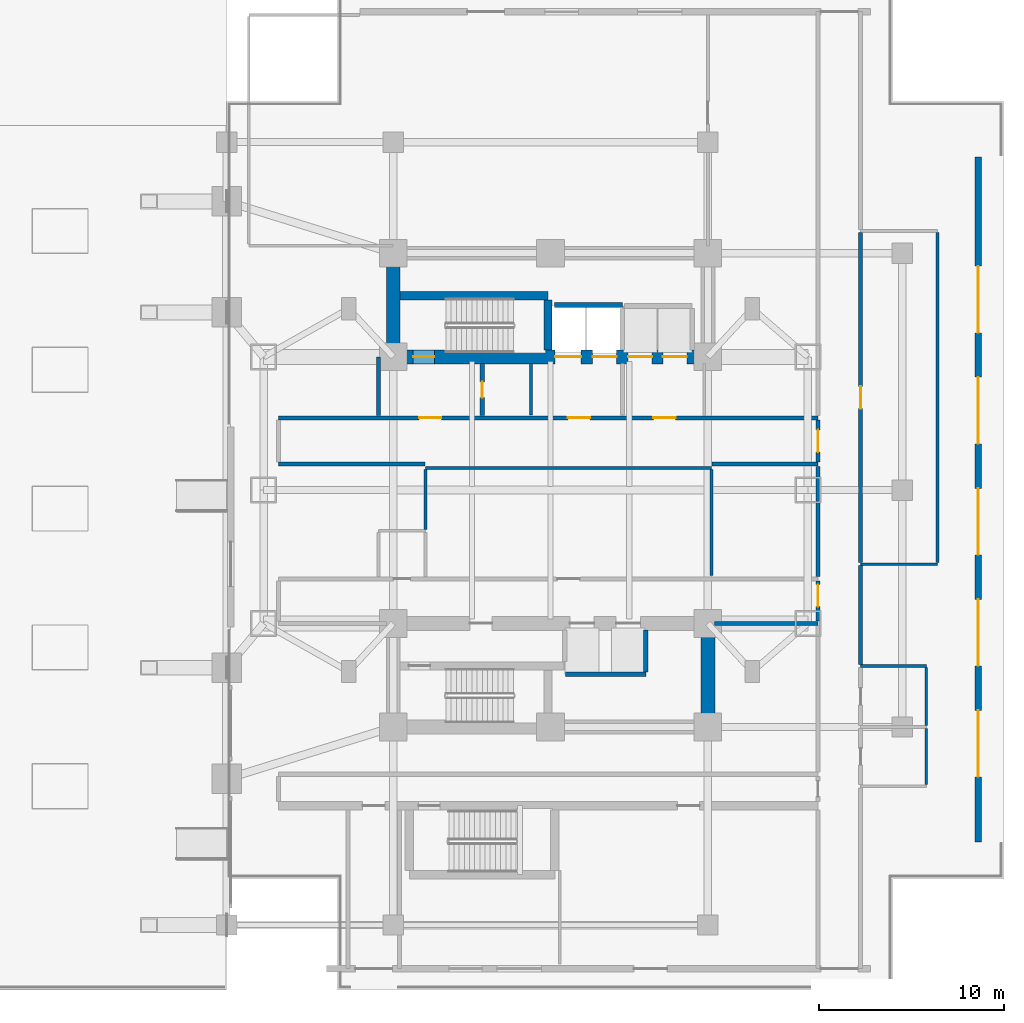
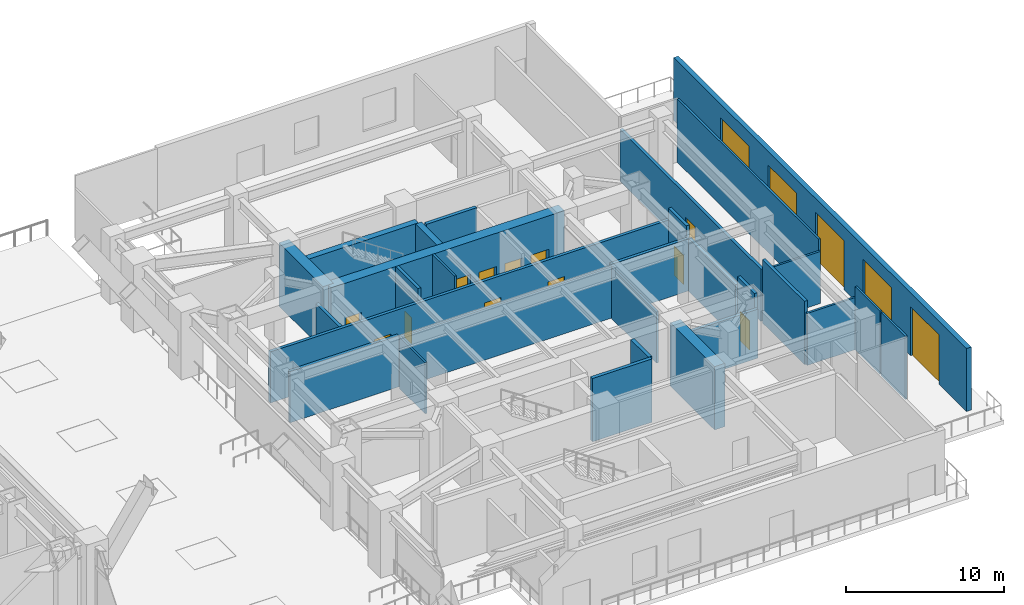
# One storey, part 14 of 27: 29 walls, 17 doors, 17 openings.
"""IFC4 building model written with IfcOpenShell, lengths in metres."""

import ifcopenshell
import ifcopenshell.guid

model = None  # the IFC model being written
_history = None  # IfcOwnerHistory: only IFC2X3 demands one
_inside = {}  # id of a spatial element -> (the spatial element, [elements in it])
_under = {}  # id of a project, library or spatial element -> (it, [spatial elements below it])
_declared = {}  # id of a project -> (the project, [libraries it declares])
_typed = {}  # id of a type object -> (the type object, [elements of that type])
_made_of = {}  # id of a material, layer set ... -> (it, [elements and type objects made of it])


def new_model(schema):
    """Start an empty IFC model of exactly this schema.

    Asked for "IFC4X3", IfcOpenShell would pick the latest addendum, in which some entities
    have other attributes; the version numbers below select the first issue.
    IFC2X3 requires an IfcOwnerHistory on every rooted entity: one is made here for all.
    """
    global model, _history
    if schema == "IFC4X3":
        model = ifcopenshell.file(schema_version=(4, 3, 0, 0))
    else:
        model = ifcopenshell.file(schema=schema)
    _inside.clear()
    _under.clear()
    _declared.clear()
    _typed.clear()
    _made_of.clear()
    _history = None
    if model.schema == "IFC2X3":
        org = make("IfcOrganization", Name="unknown")
        user = make(
            "IfcPersonAndOrganization",
            ThePerson=make("IfcPerson", FamilyName="unknown"),
            TheOrganization=org,
        )
        app = make(
            "IfcApplication",
            ApplicationDeveloper=org,
            Version="unknown",
            ApplicationFullName="unknown",
            ApplicationIdentifier="unknown",
        )
        _history = make(
            "IfcOwnerHistory",
            OwningUser=user,
            OwningApplication=app,
            ChangeAction="ADDED",
            CreationDate=0,
        )
    return model


def make(cls, **values):
    """One entity of the class cls with the attributes given. An attribute that is None is left unset."""
    return model.create_entity(
        cls, **{name: value for name, value in values.items() if value is not None}
    )


def rooted(cls, **values):
    """An entity with a GlobalId (a new one), such as an element, a storey or a relation."""
    return make(cls, GlobalId=ifcopenshell.guid.new(), OwnerHistory=_history, **values)


def si_unit(unit_type, name, prefix=None):
    """IfcSIUnit, for example si_unit("LENGTHUNIT", "METRE", prefix="MILLI")."""
    return make("IfcSIUnit", UnitType=unit_type, Prefix=prefix, Name=name)


def assignment(units):
    """IfcUnitAssignment: the units of a project."""
    return None if units is None else make("IfcUnitAssignment", Units=units)


def point(xyz):
    """IfcCartesianPoint."""
    return None if xyz is None else make("IfcCartesianPoint", Coordinates=xyz)


def direction(xyz):
    """IfcDirection."""
    return None if xyz is None else make("IfcDirection", DirectionRatios=xyz)


def frame(location, z_axis=None, x_axis=None):
    """IfcAxis2Placement3D, a coordinate frame: its origin and axes. An axis left out is left unset."""
    return make(
        "IfcAxis2Placement3D",
        Location=point(location),
        Axis=direction(z_axis),
        RefDirection=direction(x_axis),
    )


def frame_2d(location, x_axis=None):
    """IfcAxis2Placement2D, a coordinate frame in the plane: its origin and x axis."""
    return make(
        "IfcAxis2Placement2D", Location=point(location), RefDirection=direction(x_axis)
    )


def origin():
    """The frame at (0, 0, 0) with its axes left unset."""
    return frame((0.0, 0.0, 0.0))


def place(relative_to, where):
    """IfcLocalPlacement: puts the frame where relative to a parent placement (None: the world)."""
    return make(
        "IfcLocalPlacement", PlacementRelTo=relative_to, RelativePlacement=where
    )


def context(
    kind, dimensions, precision=None, world=None, true_north=None, identifier=None
):
    """IfcGeometricRepresentationContext, for example the 3D "Model" context."""
    return make(
        "IfcGeometricRepresentationContext",
        ContextIdentifier=identifier,
        ContextType=kind,
        CoordinateSpaceDimension=dimensions,
        Precision=precision,
        WorldCoordinateSystem=world,
        TrueNorth=true_north,
    )


def subcontext(parent, identifier, kind, view, scale=None):
    """IfcGeometricRepresentationSubContext, for example "Body" below "Model"."""
    return make(
        "IfcGeometricRepresentationSubContext",
        ContextIdentifier=identifier,
        ContextType=kind,
        ParentContext=parent,
        TargetScale=scale,
        TargetView=view,
    )


def project(units=None, contexts=None):
    """IfcProject with its units and contexts."""
    return rooted(
        "IfcProject",
        Name="project",
        RepresentationContexts=contexts,
        UnitsInContext=assignment(units),
    )


def spatial(cls, under=None, at=None, **own):
    """A site, building, storey or space (cls), placed at a placement, below another one or the project."""
    s = rooted(cls, ObjectPlacement=at, **own)
    if under is not None:
        _under.setdefault(under.id(), (under, []))[1].append(s)
    return s


def profile(cls, at=None, kind="AREA", **sizes):
    """A parametric profile (cls). Its sizes go by their IFC names, for example OverallWidth=200.0."""
    return make(cls, ProfileType=kind, Position=at, **sizes)


def rectangle(**sizes):
    """IfcRectangleProfileDef."""
    return profile("IfcRectangleProfileDef", **sizes)


def extrude(swept, where, along, depth):
    """IfcExtrudedAreaSolid: the profile swept, set in the frame where, extruded along a direction by depth."""
    return make(
        "IfcExtrudedAreaSolid",
        SweptArea=swept,
        Position=where,
        ExtrudedDirection=direction(along),
        Depth=depth,
    )


def shape(context_of_items, identifier, shape_type, items):
    """IfcShapeRepresentation: the items that make up one representation, for example the "Body"."""
    return make(
        "IfcShapeRepresentation",
        ContextOfItems=context_of_items,
        RepresentationIdentifier=identifier,
        RepresentationType=shape_type,
        Items=items,
    )


def material(Name=None, Category=None):
    """IfcMaterial."""
    return make("IfcMaterial", Name=Name, Category=Category)


def layer(
    of_material, thickness, ventilated=None, Name=None, Category=None, Priority=None
):
    """IfcMaterialLayer: one layer of a wall or slab, of a material (None: an air gap)."""
    return make(
        "IfcMaterialLayer",
        Material=of_material,
        LayerThickness=thickness,
        IsVentilated=ventilated,
        Name=Name,
        Category=Category,
        Priority=Priority,
    )


def layer_set(layers, Name=None):
    """IfcMaterialLayerSet."""
    return make("IfcMaterialLayerSet", MaterialLayers=layers, LayerSetName=Name)


def made_of(thing, what):
    """Note that an element or type object is made of a material, layer set ...; save() writes the relation."""
    if what is not None:
        _made_of.setdefault(what.id(), (what, []))[1].append(thing)
    return thing


def type_object(cls, material=None, **own):
    """A type object (cls), such as IfcWallType, which elements share."""
    return made_of(rooted(cls, **own), material)


def element(
    cls,
    number,
    at=None,
    inside=None,
    cuts=None,
    type_object=None,
    material=None,
    context=None,
    identifier="Body",
    shape_type=None,
    held_by="IfcProductDefinitionShape",
    body=None,
    shapes=None,
    **own,
):
    """One element of the class cls, such as IfcWall. Its Tag is "e" and its number.

    at: its placement. inside: the storey or other place that contains it. cuts: it is an
    opening in that element (IfcRelVoidsElement). A single representation is given by context,
    identifier, shape_type and body (its items); several are given by shapes. held_by: the class
    of the entity that holds the representations. save() writes the other relations.
    """
    e = rooted(cls, Tag="e%d" % number, ObjectPlacement=at, **own)
    if body is not None:
        shapes = [shape(context, identifier, shape_type, body)]
    if shapes is not None:
        e.Representation = make(held_by, Representations=shapes)
    if inside is not None:
        _inside.setdefault(inside.id(), (inside, []))[1].append(e)
    if cuts is not None:
        rooted(
            "IfcRelVoidsElement", RelatingBuildingElement=cuts, RelatedOpeningElement=e
        )
    if type_object is not None:
        _typed.setdefault(type_object.id(), (type_object, []))[1].append(e)
    return made_of(e, material)


def fill(opening, filler):
    """IfcRelFillsElement: the door or window that sits in an opening."""
    return rooted(
        "IfcRelFillsElement",
        RelatingOpeningElement=opening,
        RelatedBuildingElement=filler,
    )


def aggregate(whole, parts):
    """IfcRelAggregates: a whole, such as a stair, and the parts it consists of."""
    return rooted("IfcRelAggregates", RelatingObject=whole, RelatedObjects=parts)


def save(model, path):
    """Write the relations noted so far, then the file.

    IfcRelAggregates (storeys below a building ...), IfcRelContainedInSpatialStructure (elements
    in a storey), IfcRelDefinesByType, IfcRelAssociatesMaterial and IfcRelDeclares: one each for
    every whole, place, type object, material and project.
    """
    for whole, parts in _under.values():
        aggregate(whole, parts)
    for where, things in _inside.values():
        rooted(
            "IfcRelContainedInSpatialStructure",
            RelatedElements=things,
            RelatingStructure=where,
        )
    for kind, things in _typed.values():
        rooted("IfcRelDefinesByType", RelatedObjects=things, RelatingType=kind)
    for what, things in _made_of.values():
        rooted("IfcRelAssociatesMaterial", RelatedObjects=things, RelatingMaterial=what)
    for by, libraries in _declared.values():
        rooted("IfcRelDeclares", RelatingContext=by, RelatedDefinitions=libraries)
    model.write(path)


model = new_model("IFC4")

# Units and contexts
model_context = context("Model", 3, precision=1e-05, world=origin(), true_north=direction((0.0, 1.0)))
body_context = subcontext(model_context, "Body", "Model", "MODEL_VIEW")
ifc_project = project(units=[si_unit("LENGTHUNIT", "METRE"), si_unit("AREAUNIT", "SQUARE_METRE"), si_unit("VOLUMEUNIT", "CUBIC_METRE"), si_unit("PLANEANGLEUNIT", "RADIAN"), si_unit("MASSUNIT", "GRAM", prefix="KILO")], contexts=[model_context])

# Site, building, storey
site_placement = place(None, origin())
site = spatial("IfcSite", under=ifc_project, at=site_placement, CompositionType="ELEMENT")
building_placement = place(site_placement, origin())
building = spatial("IfcBuilding", under=site, at=building_placement, Name="Mirazonda Arch Towers", CompositionType="ELEMENT")
storey_placement = place(building_placement, origin())
storey = spatial("IfcBuildingStorey", under=building, at=storey_placement, Name="L00", CompositionType="ELEMENT", Elevation=0.0)

# Walls
ifc_material_1 = material(Name="Concrete C50/60", Category="concrete")
ifc_layer_1 = layer(ifc_material_1, 0.449951171875, Name="WALL-CORE-450")
ifc_layer_set_1 = layer_set([ifc_layer_1], Name="Concrete C50/60")
wall_type_1 = type_object("IfcWallType", Name="WALL-CORE-450", PredefinedType="SHEAR", material=ifc_layer_set_1)
wall_1_placement = place(storey_placement, frame((68.3701171875, 38.5, 0.0), z_axis=(0.0, 0.0, 1.0), x_axis=(1.0, 0.0, 0.0)))
element("IfcWall", 1, at=wall_1_placement, inside=storey, type_object=wall_type_1, Name="L00 Stair Core Shear Wall 038", PredefinedType="SHEAR", context=body_context, shape_type="SweptSolid", body=[
    extrude(rectangle(XDim=7.989990234375, YDim=0.449951171875, at=frame_2d((3.9951171875, 0.0))), origin(), (0.0, 0.0, 1.0), 4.8798828125),
])
wall_2_placement = place(storey_placement, frame((76.360107421875, 35.570068359375, 0.0), z_axis=(0.0, 0.0, 1.0), x_axis=(0.0, 1.0, 0.0)))
element("IfcWall", 2, at=wall_2_placement, inside=storey, type_object=wall_type_1, Name="L00 Stair Core Shear Wall 102", PredefinedType="SHEAR", context=body_context, shape_type="SweptSolid", body=[
    extrude(rectangle(XDim=2.69482421875, YDim=0.449951171875, at=frame_2d((1.347412109375, 0.0))), origin(), (0.0, 0.0, 1.0), 4.8798828125),
])
ifc_material_2 = material(Name="Concrete C60/75", Category="concrete")
ifc_layer_2 = layer(ifc_material_2, 0.75, Name="WALL-CORE-750")
ifc_layer_set_2 = layer_set([ifc_layer_2], Name="Concrete C60/75")
wall_type_2 = type_object("IfcWallType", Name="WALL-CORE-750", PredefinedType="SHEAR", material=ifc_layer_set_2)
wall_3_placement = place(storey_placement, frame((68.0, 35.199951171875, 0.0), z_axis=(0.0, 0.0, 1.0), x_axis=(0.0, 1.0, 0.0)))
element("IfcWall", 3, at=wall_3_placement, inside=storey, type_object=wall_type_2, Name="L00 T2N-W Core Shear Wall", PredefinedType="SHEAR", context=body_context, shape_type="SweptSolid", body=[
    extrude(rectangle(XDim=5.60009765625, YDim=0.75, at=frame_2d((2.800048828125, 0.0))), origin(), (0.0, 0.0, 1.0), 4.8798828125),
])

# Wall, openings, doors
wall_4_placement = place(storey_placement, frame((68.0, 35.199951171875, 0.0), z_axis=(0.0, 0.0, 1.0), x_axis=(1.0, 0.0, 0.0)))
wall_4 = element("IfcWall", 4, at=wall_4_placement, inside=storey, type_object=wall_type_2, Name="L00 T2N-S Core Shear Wall", PredefinedType="SHEAR", context=body_context, shape_type="SweptSolid", body=[
    extrude(rectangle(XDim=17.0, YDim=0.75, at=frame_2d((8.5, 0.0))), origin(), (0.0, 0.0, 1.0), 4.8798828125),
])
opening_1_placement = place(wall_4_placement, frame((1.070068359375, 0.0, 0.0)))
opening_1 = element("IfcOpeningElement", 5, at=opening_1_placement, cuts=wall_4, Name="Opening DR-135", PredefinedType="OPENING", context=body_context, shape_type="SweptSolid", body=[
    extrude(rectangle(XDim=1.14990234375, YDim=2.199951171875, at=frame_2d((0.574951171875, 1.10009765625))), frame((0.0, 0.385009765625, 0.0), z_axis=(0.0, -1.0, 0.0), x_axis=(1.0, 0.0, 0.0)), (0.0, 0.0, 1.0), 0.77001953125),
])
opening_2_placement = place(wall_4_placement, frame((8.75, 0.0, 0.0)))
opening_2 = element("IfcOpeningElement", 6, at=opening_2_placement, cuts=wall_4, Name="Opening LD-112", PredefinedType="OPENING", context=body_context, shape_type="SweptSolid", body=[
    extrude(rectangle(XDim=1.39990234375, YDim=2.35009765625, at=frame_2d((0.699951171875, 1.175048828125))), frame((0.0, 0.385009765625, 0.0), z_axis=(0.0, -1.0, 0.0), x_axis=(1.0, 0.0, 0.0)), (0.0, 0.0, 1.0), 0.77001953125),
])
opening_3_placement = place(wall_4_placement, frame((10.77001953125, 0.0, 0.0)))
opening_3 = element("IfcOpeningElement", 7, at=opening_3_placement, cuts=wall_4, Name="Opening LD-111", PredefinedType="OPENING", context=body_context, shape_type="SweptSolid", body=[
    extrude(rectangle(XDim=1.300048828125, YDim=2.300048828125, at=frame_2d((0.64990234375, 1.14990234375))), frame((0.0, 0.385009765625, 0.0), z_axis=(0.0, -1.0, 0.0), x_axis=(1.0, 0.0, 0.0)), (0.0, 0.0, 1.0), 0.77001953125),
])
opening_4_placement = place(wall_4_placement, frame((12.68994140625, 0.0, 0.0)))
opening_4 = element("IfcOpeningElement", 8, at=opening_4_placement, cuts=wall_4, Name="Opening LD-111", PredefinedType="OPENING", context=body_context, shape_type="SweptSolid", body=[
    extrude(rectangle(XDim=1.300048828125, YDim=2.300048828125, at=frame_2d((0.64990234375, 1.14990234375))), frame((0.0, 0.385009765625, 0.0), z_axis=(0.0, -1.0, 0.0), x_axis=(1.0, 0.0, 0.0)), (0.0, 0.0, 1.0), 0.77001953125),
])
opening_5_placement = place(wall_4_placement, frame((14.570068359375, 0.0, 0.0)))
opening_5 = element("IfcOpeningElement", 9, at=opening_5_placement, cuts=wall_4, Name="Opening LD-111", PredefinedType="OPENING", context=body_context, shape_type="SweptSolid", body=[
    extrude(rectangle(XDim=1.300048828125, YDim=2.300048828125, at=frame_2d((0.64990234375, 1.14990234375))), frame((0.0, 0.385009765625, 0.0), z_axis=(0.0, -1.0, 0.0), x_axis=(1.0, 0.0, 0.0)), (0.0, 0.0, 1.0), 0.77001953125),
])
ifc_material_3 = material(Name="Architectural Brushed Steel S355", Category="steel")
door_type_1 = type_object("IfcDoorType", Name="DOOR-LIFT-FFL-1400", OperationType="NOTDEFINED", PredefinedType="DOOR", material=ifc_material_3)
door_1_placement = place(opening_2_placement, origin())
door_1 = element("IfcDoor", 10, at=door_1_placement, inside=storey, type_object=door_type_1, Name="L00 Lift Landing Sliding Door FFL-T2", OperationType="DOUBLE_DOOR_SLIDING", OverallHeight=2.35009765625, OverallWidth=1.39990234375, PredefinedType="DOOR", context=body_context, shape_type="SweptSolid", body=[
    extrude(rectangle(XDim=1.39990234375, YDim=2.35009765625, at=frame_2d((0.699951171875, 1.175048828125))), frame((0.0, 0.02490234375, 0.0), z_axis=(0.0, -1.0, 0.0), x_axis=(1.0, 0.0, 0.0)), (0.0, 0.0, 1.0), 0.050048828125),
])
fill(opening_2, door_1)
door_type_2 = type_object("IfcDoorType", Name="DOOR-LIFT-LAND-1300", OperationType="NOTDEFINED", PredefinedType="DOOR", material=ifc_material_3)
door_2_placement = place(opening_3_placement, origin())
door_2 = element("IfcDoor", 11, at=door_2_placement, inside=storey, type_object=door_type_2, Name="L00 Lift Landing Sliding Door SVL-T2", OperationType="DOUBLE_DOOR_SLIDING", OverallHeight=2.300048828125, OverallWidth=1.300048828125, PredefinedType="DOOR", context=body_context, shape_type="SweptSolid", body=[
    extrude(rectangle(XDim=1.300048828125, YDim=2.300048828125, at=frame_2d((0.64990234375, 1.14990234375))), frame((0.0, 0.02490234375, 0.0), z_axis=(0.0, -1.0, 0.0), x_axis=(1.0, 0.0, 0.0)), (0.0, 0.0, 1.0), 0.050048828125),
])
fill(opening_3, door_2)
door_3_placement = place(opening_4_placement, origin())
door_3 = element("IfcDoor", 12, at=door_3_placement, inside=storey, type_object=door_type_2, Name="L00 Lift Landing Sliding Door PL-T2L1", OperationType="DOUBLE_DOOR_SLIDING", OverallHeight=2.300048828125, OverallWidth=1.300048828125, PredefinedType="DOOR", context=body_context, shape_type="SweptSolid", body=[
    extrude(rectangle(XDim=1.300048828125, YDim=2.300048828125, at=frame_2d((0.64990234375, 1.14990234375))), frame((0.0, 0.02490234375, 0.0), z_axis=(0.0, -1.0, 0.0), x_axis=(1.0, 0.0, 0.0)), (0.0, 0.0, 1.0), 0.050048828125),
])
fill(opening_4, door_3)
door_4_placement = place(opening_5_placement, origin())
door_4 = element("IfcDoor", 13, at=door_4_placement, inside=storey, type_object=door_type_2, Name="L00 Lift Landing Sliding Door PL-T2L2", OperationType="DOUBLE_DOOR_SLIDING", OverallHeight=2.300048828125, OverallWidth=1.300048828125, PredefinedType="DOOR", context=body_context, shape_type="SweptSolid", body=[
    extrude(rectangle(XDim=1.300048828125, YDim=2.300048828125, at=frame_2d((0.64990234375, 1.14990234375))), frame((0.0, 0.02490234375, 0.0), z_axis=(0.0, -1.0, 0.0), x_axis=(1.0, 0.0, 0.0)), (0.0, 0.0, 1.0), 0.050048828125),
])
fill(opening_5, door_4)
door_type_3 = type_object("IfcDoorType", Name="DOOR-STAIR-FD90-1150", OperationType="NOTDEFINED", PredefinedType="DOOR", material=ifc_material_3)
door_5_placement = place(opening_1_placement, origin())
door_5 = element("IfcDoor", 14, at=door_5_placement, inside=storey, type_object=door_type_3, Name="L00 East Protected Stair North Door", OperationType="SINGLE_SWING_LEFT", OverallHeight=2.199951171875, OverallWidth=1.14990234375, PredefinedType="DOOR", context=body_context, shape_type="SweptSolid", body=[
    extrude(rectangle(XDim=1.14990234375, YDim=2.199951171875, at=frame_2d((0.574951171875, 1.10009765625))), frame((0.0, 0.02490234375, 0.0), z_axis=(0.0, -1.0, 0.0), x_axis=(1.0, 0.0, 0.0)), (0.0, 0.0, 1.0), 0.050048828125),
])
fill(opening_1, door_5)

# Wall
wall_5_placement = place(storey_placement, frame((85.0, 15.199951171875, 0.0), z_axis=(0.0, 0.0, 1.0), x_axis=(0.0, 1.0, 0.0)))
element("IfcWall", 15, at=wall_5_placement, inside=storey, type_object=wall_type_2, Name="L00 T2S-E Core Shear Wall", PredefinedType="SHEAR", context=body_context, shape_type="SweptSolid", body=[
    extrude(rectangle(XDim=5.60009765625, YDim=0.75, at=frame_2d((2.800048828125, 0.0))), origin(), (0.0, 0.0, 1.0), 4.8798828125),
])

# Wall, openings, doors
ifc_material_4 = material(Name="Precast Concrete C40/50", Category="concrete")
ifc_layer_3 = layer(ifc_material_4, 0.35009765625, Name="WALL-EXT-WALL-350")
ifc_layer_set_3 = layer_set([ifc_layer_3], Name="Precast Concrete C40/50")
wall_type_3 = type_object("IfcWallType", Name="WALL-EXT-WALL-350", PredefinedType="SOLIDWALL", material=ifc_layer_set_3)
wall_6_placement = place(storey_placement, frame((99.60009765625, 9.0, 0.0), z_axis=(0.0, 0.0, 1.0), x_axis=(0.0, 1.0, 0.0)))
wall_6 = element("IfcWall", 16, at=wall_6_placement, inside=storey, type_object=wall_type_3, Name="L00 East Service & Loading Bay Wall WL-L00-E-SRV", PredefinedType="SOLIDWALL", context=body_context, shape_type="SweptSolid", body=[
    extrude(rectangle(XDim=37.0, YDim=0.35009765625, at=frame_2d((18.5, 0.0))), origin(), (0.0, 0.0, 1.0), 4.860107421875),
])
opening_6_placement = place(wall_6_placement, frame((3.5, 0.0, 0.0)))
opening_6 = element("IfcOpeningElement", 17, at=opening_6_placement, cuts=wall_6, Name="Opening DR-133", PredefinedType="OPENING", context=body_context, shape_type="SweptSolid", body=[
    extrude(rectangle(XDim=3.60009765625, YDim=3.800048828125, at=frame_2d((1.800048828125, 1.89990234375))), frame((0.0, 0.18505859375, 0.0), z_axis=(0.0, -1.0, 0.0), x_axis=(1.0, 0.0, 0.0)), (0.0, 0.0, 1.0), 0.3701171875),
])
opening_7_placement = place(wall_6_placement, frame((9.5, 0.0, 0.0)))
opening_7 = element("IfcOpeningElement", 18, at=opening_7_placement, cuts=wall_6, Name="Opening DR-133", PredefinedType="OPENING", context=body_context, shape_type="SweptSolid", body=[
    extrude(rectangle(XDim=3.60009765625, YDim=3.800048828125, at=frame_2d((1.800048828125, 1.89990234375))), frame((0.0, 0.18505859375, 0.0), z_axis=(0.0, -1.0, 0.0), x_axis=(1.0, 0.0, 0.0)), (0.0, 0.0, 1.0), 0.3701171875),
])
opening_8_placement = place(wall_6_placement, frame((15.5, 0.0, 0.0)))
opening_8 = element("IfcOpeningElement", 19, at=opening_8_placement, cuts=wall_6, Name="Opening DR-133", PredefinedType="OPENING", context=body_context, shape_type="SweptSolid", body=[
    extrude(rectangle(XDim=3.60009765625, YDim=3.800048828125, at=frame_2d((1.800048828125, 1.89990234375))), frame((0.0, 0.18505859375, 0.0), z_axis=(0.0, -1.0, 0.0), x_axis=(1.0, 0.0, 0.0)), (0.0, 0.0, 1.0), 0.3701171875),
])
opening_9_placement = place(wall_6_placement, frame((21.5, 0.0, 0.0)))
opening_9 = element("IfcOpeningElement", 20, at=opening_9_placement, cuts=wall_6, Name="Opening DR-133", PredefinedType="OPENING", context=body_context, shape_type="SweptSolid", body=[
    extrude(rectangle(XDim=3.60009765625, YDim=3.800048828125, at=frame_2d((1.800048828125, 1.89990234375))), frame((0.0, 0.18505859375, 0.0), z_axis=(0.0, -1.0, 0.0), x_axis=(1.0, 0.0, 0.0)), (0.0, 0.0, 1.0), 0.3701171875),
])
opening_10_placement = place(wall_6_placement, frame((27.5, 0.0, 0.0)))
opening_10 = element("IfcOpeningElement", 21, at=opening_10_placement, cuts=wall_6, Name="Opening DR-133", PredefinedType="OPENING", context=body_context, shape_type="SweptSolid", body=[
    extrude(rectangle(XDim=3.60009765625, YDim=3.800048828125, at=frame_2d((1.800048828125, 1.89990234375))), frame((0.0, 0.18505859375, 0.0), z_axis=(0.0, -1.0, 0.0), x_axis=(1.0, 0.0, 0.0)), (0.0, 0.0, 1.0), 0.3701171875),
])
door_type_4 = type_object("IfcDoorType", Name="DOOR-DOCK-GATE-3600", OperationType="NOTDEFINED", PredefinedType="GATE", material=ifc_material_3)
door_6_placement = place(opening_6_placement, origin())
door_6 = element("IfcDoor", 22, at=door_6_placement, inside=storey, type_object=door_type_4, Name="L00 Exterior Door DR-DOCK-E1", OperationType="ROLLINGUP", OverallHeight=3.800048828125, OverallWidth=3.60009765625, PredefinedType="GATE", context=body_context, shape_type="SweptSolid", body=[
    extrude(rectangle(XDim=3.60009765625, YDim=3.800048828125, at=frame_2d((1.800048828125, 1.89990234375))), frame((0.0, 0.02490234375, 0.0), z_axis=(0.0, -1.0, 0.0), x_axis=(1.0, 0.0, 0.0)), (0.0, 0.0, 1.0), 0.050048828125),
])
fill(opening_6, door_6)
door_7_placement = place(opening_7_placement, origin())
door_7 = element("IfcDoor", 23, at=door_7_placement, inside=storey, type_object=door_type_4, Name="L00 Exterior Door DR-DOCK-E2", OperationType="ROLLINGUP", OverallHeight=3.800048828125, OverallWidth=3.60009765625, PredefinedType="GATE", context=body_context, shape_type="SweptSolid", body=[
    extrude(rectangle(XDim=3.60009765625, YDim=3.800048828125, at=frame_2d((1.800048828125, 1.89990234375))), frame((0.0, 0.02490234375, 0.0), z_axis=(0.0, -1.0, 0.0), x_axis=(1.0, 0.0, 0.0)), (0.0, 0.0, 1.0), 0.050048828125),
])
fill(opening_7, door_7)
door_8_placement = place(opening_8_placement, origin())
door_8 = element("IfcDoor", 24, at=door_8_placement, inside=storey, type_object=door_type_4, Name="L00 Exterior Door DR-DOCK-E3", OperationType="ROLLINGUP", OverallHeight=3.800048828125, OverallWidth=3.60009765625, PredefinedType="GATE", context=body_context, shape_type="SweptSolid", body=[
    extrude(rectangle(XDim=3.60009765625, YDim=3.800048828125, at=frame_2d((1.800048828125, 1.89990234375))), frame((0.0, 0.02490234375, 0.0), z_axis=(0.0, -1.0, 0.0), x_axis=(1.0, 0.0, 0.0)), (0.0, 0.0, 1.0), 0.050048828125),
])
fill(opening_8, door_8)
door_9_placement = place(opening_9_placement, origin())
door_9 = element("IfcDoor", 25, at=door_9_placement, inside=storey, type_object=door_type_4, Name="L00 Exterior Door DR-DOCK-E4", OperationType="ROLLINGUP", OverallHeight=3.800048828125, OverallWidth=3.60009765625, PredefinedType="GATE", context=body_context, shape_type="SweptSolid", body=[
    extrude(rectangle(XDim=3.60009765625, YDim=3.800048828125, at=frame_2d((1.800048828125, 1.89990234375))), frame((0.0, 0.02490234375, 0.0), z_axis=(0.0, -1.0, 0.0), x_axis=(1.0, 0.0, 0.0)), (0.0, 0.0, 1.0), 0.050048828125),
])
fill(opening_9, door_9)
door_10_placement = place(opening_10_placement, origin())
door_10 = element("IfcDoor", 26, at=door_10_placement, inside=storey, type_object=door_type_4, Name="L00 Exterior Door DR-DOCK-E5", OperationType="ROLLINGUP", OverallHeight=3.800048828125, OverallWidth=3.60009765625, PredefinedType="GATE", context=body_context, shape_type="SweptSolid", body=[
    extrude(rectangle(XDim=3.60009765625, YDim=3.800048828125, at=frame_2d((1.800048828125, 1.89990234375))), frame((0.0, 0.02490234375, 0.0), z_axis=(0.0, -1.0, 0.0), x_axis=(1.0, 0.0, 0.0)), (0.0, 0.0, 1.0), 0.050048828125),
])
fill(opening_10, door_10)

# Walls
ifc_material_5 = material(Name="Concrete C40/50", Category="concrete")
ifc_layer_4 = layer(ifc_material_5, 0.219970703125, Name="WALL-FFL-220")
ifc_layer_set_4 = layer_set([ifc_layer_4], Name="Concrete C40/50")
wall_type_4 = type_object("IfcWallType", Name="WALL-FFL-220", PredefinedType="SOLIDWALL", material=ifc_layer_set_4)
wall_7_placement = place(storey_placement, frame((85.3701171875, 20.800048828125, 0.0), z_axis=(0.0, 0.0, 1.0), x_axis=(1.0, 0.0, 0.0)))
element("IfcWall", 27, at=wall_7_placement, inside=storey, type_object=wall_type_4, Name="L00 Interior Partition 022", PredefinedType="SOLIDWALL", context=body_context, shape_type="SweptSolid", body=[
    extrude(rectangle(XDim=5.579833984375, YDim=0.219970703125, at=frame_2d((2.7900390625, 0.0))), origin(), (0.0, 0.0, 1.0), 3.77197265625),
])
wall_8_placement = place(storey_placement, frame((61.800048828125, 29.39990234375, 0.0), z_axis=(0.0, 0.0, 1.0), x_axis=(1.0, 0.0, 0.0)))
element("IfcWall", 28, at=wall_8_placement, inside=storey, type_object=wall_type_4, Name="L00 Interior Partition 028", PredefinedType="SOLIDWALL", context=body_context, shape_type="SweptSolid", body=[
    extrude(rectangle(XDim=7.929931640625, YDim=0.219970703125, at=frame_2d((3.96484375, 0.0))), origin(), (0.0, 0.0, 1.0), 3.945068359375),
])
wall_9_placement = place(storey_placement, frame((85.219970703125, 29.39990234375, 0.0), z_axis=(0.0, 0.0, 1.0), x_axis=(1.0, 0.0, 0.0)))
element("IfcWall", 29, at=wall_9_placement, inside=storey, type_object=wall_type_4, Name="L00 Interior Partition 029", PredefinedType="SOLIDWALL", context=body_context, shape_type="SweptSolid", body=[
    extrude(rectangle(XDim=5.72998046875, YDim=0.219970703125, at=frame_2d((2.864990234375, 0.0))), origin(), (0.0, 0.0, 1.0), 4.01611328125),
])

# Wall, openings, doors
wall_10_placement = place(storey_placement, frame((61.800048828125, 31.89990234375, 0.0), z_axis=(0.0, 0.0, 1.0), x_axis=(1.0, 0.0, 0.0)))
wall_10 = element("IfcWall", 30, at=wall_10_placement, inside=storey, type_object=wall_type_4, Name="L00 Interior Partition 033", PredefinedType="SOLIDWALL", context=body_context, shape_type="SweptSolid", body=[
    extrude(rectangle(XDim=29.14990234375, YDim=0.219970703125, at=frame_2d((14.574951171875, 0.0))), origin(), (0.0, 0.0, 1.0), 3.945068359375),
])
opening_11_placement = place(wall_10_placement, frame((7.60009765625, 0.0, 0.0)))
opening_11 = element("IfcOpeningElement", 31, at=opening_11_placement, cuts=wall_10, Name="Opening DR-117", PredefinedType="OPENING", context=body_context, shape_type="SweptSolid", body=[
    extrude(rectangle(XDim=1.199951171875, YDim=2.25, at=frame_2d((0.60009765625, 1.125))), frame((0.0, 0.119873046875, 0.0), z_axis=(0.0, -1.0, 0.0), x_axis=(1.0, 0.0, 0.0)), (0.0, 0.0, 1.0), 0.239990234375),
])
opening_12_placement = place(wall_10_placement, frame((20.260009765625, 0.0, 0.0)))
opening_12 = element("IfcOpeningElement", 32, at=opening_12_placement, cuts=wall_10, Name="Opening DR-117", PredefinedType="OPENING", context=body_context, shape_type="SweptSolid", body=[
    extrude(rectangle(XDim=1.199951171875, YDim=2.25, at=frame_2d((0.60009765625, 1.125))), frame((0.0, 0.119873046875, 0.0), z_axis=(0.0, -1.0, 0.0), x_axis=(1.0, 0.0, 0.0)), (0.0, 0.0, 1.0), 0.239990234375),
])
opening_13_placement = place(wall_10_placement, frame((15.639892578125, 0.0, 0.0)))
opening_13 = element("IfcOpeningElement", 33, at=opening_13_placement, cuts=wall_10, Name="Opening DR-117", PredefinedType="OPENING", context=body_context, shape_type="SweptSolid", body=[
    extrude(rectangle(XDim=1.199951171875, YDim=2.25, at=frame_2d((0.60009765625, 1.125))), frame((0.0, 0.119873046875, 0.0), z_axis=(0.0, -1.0, 0.0), x_axis=(1.0, 0.0, 0.0)), (0.0, 0.0, 1.0), 0.239990234375),
])
door_type_5 = type_object("IfcDoorType", Name="DOOR-FFL-FD90-1200", OperationType="NOTDEFINED", PredefinedType="DOOR", material=ifc_material_3)
door_11_placement = place(opening_11_placement, origin())
door_11 = element("IfcDoor", 34, at=door_11_placement, inside=storey, type_object=door_type_5, Name="L00 East North Core Stair Protected Exit Lobby Door", OperationType="SINGLE_SWING_RIGHT", OverallHeight=2.25, OverallWidth=1.199951171875, PredefinedType="DOOR", context=body_context, shape_type="SweptSolid", body=[
    extrude(rectangle(XDim=1.199951171875, YDim=2.25, at=frame_2d((0.60009765625, 1.125))), frame((0.0, 0.02490234375, 0.0), z_axis=(0.0, -1.0, 0.0), x_axis=(1.0, 0.0, 0.0)), (0.0, 0.0, 1.0), 0.050048828125),
])
fill(opening_11, door_11)
door_12_placement = place(opening_12_placement, origin())
door_12 = element("IfcDoor", 35, at=door_12_placement, inside=storey, type_object=door_type_5, Name="L00 East Passenger Lift Lobby Door", OperationType="SINGLE_SWING_RIGHT", OverallHeight=2.25, OverallWidth=1.199951171875, PredefinedType="DOOR", context=body_context, shape_type="SweptSolid", body=[
    extrude(rectangle(XDim=1.199951171875, YDim=2.25, at=frame_2d((0.60009765625, 1.125))), frame((0.0, 0.02490234375, 0.0), z_axis=(0.0, -1.0, 0.0), x_axis=(1.0, 0.0, 0.0)), (0.0, 0.0, 1.0), 0.050048828125),
])
fill(opening_12, door_12)
door_13_placement = place(opening_13_placement, origin())
door_13 = element("IfcDoor", 36, at=door_13_placement, inside=storey, type_object=door_type_5, Name="L00 East Firefighting Lift Lobby Door", OperationType="SINGLE_SWING_RIGHT", OverallHeight=2.25, OverallWidth=1.199951171875, PredefinedType="DOOR", context=body_context, shape_type="SweptSolid", body=[
    extrude(rectangle(XDim=1.199951171875, YDim=2.25, at=frame_2d((0.60009765625, 1.125))), frame((0.0, 0.02490234375, 0.0), z_axis=(0.0, -1.0, 0.0), x_axis=(1.0, 0.0, 0.0)), (0.0, 0.0, 1.0), 0.050048828125),
])
fill(opening_13, door_13)

# Wall
wall_11_placement = place(storey_placement, frame((67.199951171875, 32.02001953125, 0.0), z_axis=(0.0, 0.0, 1.0), x_axis=(0.0, 1.0, 0.0)))
element("IfcWall", 37, at=wall_11_placement, inside=storey, type_object=wall_type_4, Name="L00 Interior Partition 094", PredefinedType="SOLIDWALL", context=body_context, shape_type="SweptSolid", body=[
    extrude(rectangle(XDim=3.179931640625, YDim=0.219970703125, at=frame_2d((1.58984375, 0.0))), origin(), (0.0, 0.0, 1.0), 3.77197265625),
])

# Wall, opening, door
wall_12_placement = place(storey_placement, frame((72.81005859375, 32.02001953125, 0.0), z_axis=(0.0, 0.0, 1.0), x_axis=(0.0, 1.0, 0.0)))
wall_12 = element("IfcWall", 38, at=wall_12_placement, inside=storey, type_object=wall_type_4, Name="L00 Interior Partition 099", PredefinedType="SOLIDWALL", context=body_context, shape_type="SweptSolid", body=[
    extrude(rectangle(XDim=2.81005859375, YDim=0.219970703125, at=frame_2d((1.405029296875, 0.0))), origin(), (0.0, 0.0, 1.0), 4.8798828125),
])
opening_14_placement = place(wall_12_placement, frame((0.97998046875, 0.0, 0.0)))
opening_14 = element("IfcOpeningElement", 39, at=opening_14_placement, cuts=wall_12, Name="Opening DR-128", PredefinedType="OPENING", context=body_context, shape_type="SweptSolid", body=[
    extrude(rectangle(XDim=0.85009765625, YDim=2.010009765625, at=frame_2d((0.425048828125, 1.0048828125))), frame((0.0, 0.119873046875, 0.0), z_axis=(0.0, -1.0, 0.0), x_axis=(1.0, 0.0, 0.0)), (0.0, 0.0, 1.0), 0.239990234375),
])
door_type_6 = type_object("IfcDoorType", Name="DOOR-RISER-FD60-850", OperationType="NOTDEFINED", PredefinedType="DOOR", material=ifc_material_3)
door_14_placement = place(opening_14_placement, origin())
door_14 = element("IfcDoor", 40, at=door_14_placement, inside=storey, type_object=door_type_6, Name="L00 Tower 2 Core Service Room Door", OperationType="SINGLE_SWING_LEFT", OverallHeight=2.010009765625, OverallWidth=0.85009765625, PredefinedType="DOOR", context=body_context, shape_type="SweptSolid", body=[
    extrude(rectangle(XDim=0.85009765625, YDim=2.010009765625, at=frame_2d((0.425048828125, 1.0048828125))), frame((0.0, 0.02490234375, 0.0), z_axis=(0.0, -1.0, 0.0), x_axis=(1.0, 0.0, 0.0)), (0.0, 0.0, 1.0), 0.050048828125),
])
fill(opening_14, door_14)

wall_13_placement = place(storey_placement, frame((90.949951171875, 20.919921875, 0.0), z_axis=(0.0, 0.0, 1.0), x_axis=(0.0, 1.0, 0.0)))
wall_13 = element("IfcWall", 41, at=wall_13_placement, inside=storey, type_object=wall_type_4, Name="L00 Interior Partition 116", PredefinedType="SOLIDWALL", context=body_context, shape_type="SweptSolid", body=[
    extrude(rectangle(XDim=2.16015625, YDim=0.219970703125, at=frame_2d((1.080078125, 0.0))), origin(), (0.0, 0.0, 1.0), 4.8798828125),
])
opening_15_placement = place(wall_13_placement, frame((0.780029296875, 0.0, 0.0)))
opening_15 = element("IfcOpeningElement", 42, at=opening_15_placement, cuts=wall_13, Name="Opening DR-117", PredefinedType="OPENING", context=body_context, shape_type="SweptSolid", body=[
    extrude(rectangle(XDim=1.199951171875, YDim=2.25, at=frame_2d((0.60009765625, 1.125))), frame((0.0, 0.119873046875, 0.0), z_axis=(0.0, -1.0, 0.0), x_axis=(1.0, 0.0, 0.0)), (0.0, 0.0, 1.0), 0.239990234375),
])
door_15_placement = place(opening_15_placement, origin())
door_15 = element("IfcDoor", 43, at=door_15_placement, inside=storey, type_object=door_type_5, Name="L00 East Podium South Protected Exit & Gallery Corridor Door", OperationType="SINGLE_SWING_RIGHT", OverallHeight=2.25, OverallWidth=1.199951171875, PredefinedType="DOOR", context=body_context, shape_type="SweptSolid", body=[
    extrude(rectangle(XDim=1.199951171875, YDim=2.25, at=frame_2d((0.60009765625, 1.125))), frame((0.0, 0.02490234375, 0.0), z_axis=(0.0, -1.0, 0.0), x_axis=(1.0, 0.0, 0.0)), (0.0, 0.0, 1.0), 0.050048828125),
])
fill(opening_15, door_15)

# Wall
wall_14_placement = place(storey_placement, frame((90.949951171875, 23.320068359375, 0.0), z_axis=(0.0, 0.0, 1.0), x_axis=(0.0, 1.0, 0.0)))
element("IfcWall", 44, at=wall_14_placement, inside=storey, type_object=wall_type_4, Name="L00 Interior Partition 117", PredefinedType="SOLIDWALL", context=body_context, shape_type="SweptSolid", body=[
    extrude(rectangle(XDim=5.9599609375, YDim=0.219970703125, at=frame_2d((2.97998046875, 0.0))), origin(), (0.0, 0.0, 1.0), 4.09912109375),
])

# Wall, opening, door
wall_15_placement = place(storey_placement, frame((90.949951171875, 29.52001953125, 0.0), z_axis=(0.0, 0.0, 1.0), x_axis=(0.0, 1.0, 0.0)))
wall_15 = element("IfcWall", 45, at=wall_15_placement, inside=storey, type_object=wall_type_4, Name="L00 Interior Partition 118", PredefinedType="SOLIDWALL", context=body_context, shape_type="SweptSolid", body=[
    extrude(rectangle(XDim=2.260009765625, YDim=0.219970703125, at=frame_2d((1.1298828125, 0.0))), origin(), (0.0, 0.0, 1.0), 4.8798828125),
])
opening_16_placement = place(wall_15_placement, frame((0.530029296875, 0.0, 0.0)))
opening_16 = element("IfcOpeningElement", 46, at=opening_16_placement, cuts=wall_15, Name="Opening DR-117", PredefinedType="OPENING", context=body_context, shape_type="SweptSolid", body=[
    extrude(rectangle(XDim=1.199951171875, YDim=2.25, at=frame_2d((0.60009765625, 1.125))), frame((0.0, 0.119873046875, 0.0), z_axis=(0.0, -1.0, 0.0), x_axis=(1.0, 0.0, 0.0)), (0.0, 0.0, 1.0), 0.239990234375),
])
door_16_placement = place(opening_16_placement, origin())
door_16 = element("IfcDoor", 47, at=door_16_placement, inside=storey, type_object=door_type_5, Name="L00 East Podium Protected Exit Passageway & Cross-Corridor Door", OperationType="SINGLE_SWING_LEFT", OverallHeight=2.25, OverallWidth=1.199951171875, PredefinedType="DOOR", context=body_context, shape_type="SweptSolid", body=[
    extrude(rectangle(XDim=1.199951171875, YDim=2.25, at=frame_2d((0.60009765625, 1.125))), frame((0.0, 0.02490234375, 0.0), z_axis=(0.0, -1.0, 0.0), x_axis=(1.0, 0.0, 0.0)), (0.0, 0.0, 1.0), 0.050048828125),
])
fill(opening_16, door_16)

# Wall
wall_16_placement = place(storey_placement, frame((93.25, 18.5849609375, 0.0), z_axis=(0.0, 0.0, 1.0), x_axis=(0.0, 1.0, 0.0)))
element("IfcWall", 48, at=wall_16_placement, inside=storey, type_object=wall_type_4, Name="L00 Interior Partition 123", PredefinedType="SOLIDWALL", context=body_context, shape_type="SweptSolid", body=[
    extrude(rectangle(XDim=5.330078125, YDim=0.219970703125, at=frame_2d((2.6650390625, 0.0))), origin(), (0.0, 0.0, 1.0), 4.8798828125),
])

# Wall, opening, door
wall_17_placement = place(storey_placement, frame((93.25, 24.0849609375, 0.0), z_axis=(0.0, 0.0, 1.0), x_axis=(0.0, 1.0, 0.0)))
wall_17 = element("IfcWall", 49, at=wall_17_placement, inside=storey, type_object=wall_type_4, Name="L00 Interior Partition 124", PredefinedType="SOLIDWALL", context=body_context, shape_type="SweptSolid", body=[
    extrude(rectangle(XDim=17.830078125, YDim=0.219970703125, at=frame_2d((8.9150390625, 0.0))), origin(), (0.0, 0.0, 1.0), 4.01611328125),
])
opening_17_placement = place(wall_17_placement, frame((8.31494140625, 0.0, 0.0)))
opening_17 = element("IfcOpeningElement", 50, at=opening_17_placement, cuts=wall_17, Name="Opening DR-117", PredefinedType="OPENING", context=body_context, shape_type="SweptSolid", body=[
    extrude(rectangle(XDim=1.199951171875, YDim=2.25, at=frame_2d((0.60009765625, 1.125))), frame((0.0, 0.119873046875, 0.0), z_axis=(0.0, -1.0, 0.0), x_axis=(1.0, 0.0, 0.0)), (0.0, 0.0, 1.0), 0.239990234375),
])
door_17_placement = place(opening_17_placement, origin())
door_17 = element("IfcDoor", 51, at=door_17_placement, inside=storey, type_object=door_type_5, Name="L00 Brasserie Commissary & Pastry Kitchen Door", OperationType="SINGLE_SWING_LEFT", OverallHeight=2.25, OverallWidth=1.199951171875, PredefinedType="DOOR", context=body_context, shape_type="SweptSolid", body=[
    extrude(rectangle(XDim=1.199951171875, YDim=2.25, at=frame_2d((0.60009765625, 1.125))), frame((0.0, 0.02490234375, 0.0), z_axis=(0.0, -1.0, 0.0), x_axis=(1.0, 0.0, 0.0)), (0.0, 0.0, 1.0), 0.050048828125),
])
fill(opening_17, door_17)

# Walls
ifc_material_6 = material(Name="Fire-Rated Gypsum Stud Partition")
ifc_layer_5 = layer(ifc_material_6, 0.14990234375, Name="WALL-PART-CORR-150")
ifc_layer_set_5 = layer_set([ifc_layer_5], Name="Fire-Rated Gypsum Stud Partition")
wall_type_5 = type_object("IfcWallType", Name="WALL-PART-CORR-150", PredefinedType="PARTITIONING", material=ifc_layer_set_5)
wall_18_placement = place(storey_placement, frame((93.25, 18.5, 0.0), z_axis=(0.0, 0.0, 1.0), x_axis=(1.0, 0.0, 0.0)))
element("IfcWall", 52, at=wall_18_placement, inside=storey, type_object=wall_type_5, Name="L00 Interior Partition 019", PredefinedType="PARTITIONING", context=body_context, shape_type="SweptSolid", body=[
    extrude(rectangle(XDim=3.550048828125, YDim=0.14990234375, at=frame_2d((1.77490234375, 0.0))), origin(), (0.0, 0.0, 1.0), 4.01611328125),
])
wall_19_placement = place(storey_placement, frame((93.25, 24.0, 0.0), z_axis=(0.0, 0.0, 1.0), x_axis=(1.0, 0.0, 0.0)))
element("IfcWall", 53, at=wall_19_placement, inside=storey, type_object=wall_type_5, Name="L00 Interior Partition 025", PredefinedType="PARTITIONING", context=body_context, shape_type="SweptSolid", body=[
    extrude(rectangle(XDim=4.14990234375, YDim=0.14990234375, at=frame_2d((2.074951171875, 0.0))), origin(), (0.0, 0.0, 1.0), 4.01611328125),
])
wall_20_placement = place(storey_placement, frame((69.75, 29.199951171875, 0.0), z_axis=(0.0, 0.0, 1.0), x_axis=(1.0, 0.0, 0.0)))
element("IfcWall", 54, at=wall_20_placement, inside=storey, type_object=wall_type_5, Name="L00 Interior Partition 027", PredefinedType="PARTITIONING", context=body_context, shape_type="SweptSolid", body=[
    extrude(rectangle(XDim=15.449951171875, YDim=0.14990234375, at=frame_2d((7.72509765625, 0.0))), origin(), (0.0, 0.0, 1.0), 3.945068359375),
])
wall_21_placement = place(storey_placement, frame((69.75, 25.885009765625, 0.0), z_axis=(0.0, 0.0, 1.0), x_axis=(0.0, 1.0, 0.0)))
element("IfcWall", 55, at=wall_21_placement, inside=storey, type_object=wall_type_5, Name="L00 Interior Partition 098", PredefinedType="PARTITIONING", context=body_context, shape_type="SweptSolid", body=[
    extrude(rectangle(XDim=3.22998046875, YDim=0.14990234375, at=frame_2d((1.614990234375, 0.0))), origin(), (0.0, 0.0, 1.0), 3.945068359375),
])
wall_22_placement = place(storey_placement, frame((75.449951171875, 32.050048828125, 0.0), z_axis=(0.0, 0.0, 1.0), x_axis=(0.0, 1.0, 0.0)))
element("IfcWall", 56, at=wall_22_placement, inside=storey, type_object=wall_type_5, Name="L00 Interior Partition 100", PredefinedType="PARTITIONING", context=body_context, shape_type="SweptSolid", body=[
    extrude(rectangle(XDim=2.780029296875, YDim=0.14990234375, at=frame_2d((1.39013671875, 0.0))), origin(), (0.0, 0.0, 1.0), 4.8798828125),
])
wall_23_placement = place(storey_placement, frame((85.199951171875, 23.39990234375, 0.0), z_axis=(0.0, 0.0, 1.0), x_axis=(0.0, 1.0, 0.0)))
element("IfcWall", 57, at=wall_23_placement, inside=storey, type_object=wall_type_5, Name="L00 Interior Partition 112", PredefinedType="PARTITIONING", context=body_context, shape_type="SweptSolid", body=[
    extrude(rectangle(XDim=5.715087890625, YDim=0.14990234375, at=frame_2d((2.857421875, 0.0))), origin(), (0.0, 0.0, 1.0), 3.945068359375),
])
wall_24_placement = place(storey_placement, frame((96.800048828125, 12.0849609375, 0.0), z_axis=(0.0, 0.0, 1.0), x_axis=(0.0, 1.0, 0.0)))
element("IfcWall", 58, at=wall_24_placement, inside=storey, type_object=wall_type_5, Name="L00 Interior Partition 126", PredefinedType="PARTITIONING", context=body_context, shape_type="SweptSolid", body=[
    extrude(rectangle(XDim=3.030029296875, YDim=0.14990234375, at=frame_2d((1.51513671875, 0.0))), origin(), (0.0, 0.0, 1.0), 4.8798828125),
])
wall_25_placement = place(storey_placement, frame((96.800048828125, 15.284912109375, 0.0), z_axis=(0.0, 0.0, 1.0), x_axis=(0.0, 1.0, 0.0)))
element("IfcWall", 59, at=wall_25_placement, inside=storey, type_object=wall_type_5, Name="L00 Interior Partition 127", PredefinedType="PARTITIONING", context=body_context, shape_type="SweptSolid", body=[
    extrude(rectangle(XDim=3.130126953125, YDim=0.14990234375, at=frame_2d((1.56494140625, 0.0))), origin(), (0.0, 0.0, 1.0), 4.8798828125),
])
wall_26_placement = place(storey_placement, frame((97.39990234375, 24.0849609375, 0.0), z_axis=(0.0, 0.0, 1.0), x_axis=(0.0, 1.0, 0.0)))
element("IfcWall", 60, at=wall_26_placement, inside=storey, type_object=wall_type_5, Name="L00 Interior Partition 128", PredefinedType="PARTITIONING", context=body_context, shape_type="SweptSolid", body=[
    extrude(rectangle(XDim=17.830078125, YDim=0.14990234375, at=frame_2d((8.9150390625, 0.0))), origin(), (0.0, 0.0, 1.0), 4.8798828125),
])
ifc_layer_6 = layer(ifc_material_5, 0.25, Name="WALL-SHAFT-250")
ifc_layer_set_6 = layer_set([ifc_layer_6], Name="Concrete C40/50")
wall_type_6 = type_object("IfcWallType", Name="WALL-SHAFT-250", PredefinedType="SOLIDWALL", material=ifc_layer_set_6)
wall_27_placement = place(storey_placement, frame((77.300048828125, 18.050048828125, 0.0), z_axis=(0.0, 0.0, 1.0), x_axis=(1.0, 0.0, 0.0)))
element("IfcWall", 61, at=wall_27_placement, inside=storey, type_object=wall_type_6, Name="L00 Interior Partition 015", PredefinedType="SOLIDWALL", context=body_context, shape_type="SweptSolid", body=[
    extrude(rectangle(XDim=4.349853515625, YDim=0.25, at=frame_2d((2.1748046875, 0.0))), origin(), (0.0, 0.0, 1.0), 4.8798828125),
])
wall_28_placement = place(storey_placement, frame((76.719970703125, 38.0, 0.0), z_axis=(0.0, 0.0, 1.0), x_axis=(1.0, 0.0, 0.0)))
element("IfcWall", 62, at=wall_28_placement, inside=storey, type_object=wall_type_6, Name="L00 Interior Partition 037", PredefinedType="SOLIDWALL", context=body_context, shape_type="SweptSolid", body=[
    extrude(rectangle(XDim=3.659912109375, YDim=0.25, at=frame_2d((1.830078125, 0.0))), origin(), (0.0, 0.0, 1.0), 4.8798828125),
])
wall_29_placement = place(storey_placement, frame((81.64990234375, 18.18505859375, 0.0), z_axis=(0.0, 0.0, 1.0), x_axis=(0.0, 1.0, 0.0)))
element("IfcWall", 63, at=wall_29_placement, inside=storey, type_object=wall_type_6, Name="L00 Interior Partition 108", PredefinedType="SOLIDWALL", context=body_context, shape_type="SweptSolid", body=[
    extrude(rectangle(XDim=2.244873046875, YDim=0.25, at=frame_2d((1.12255859375, 0.0))), origin(), (0.0, 0.0, 1.0), 4.8798828125),
])

save(model, "model.ifc")
